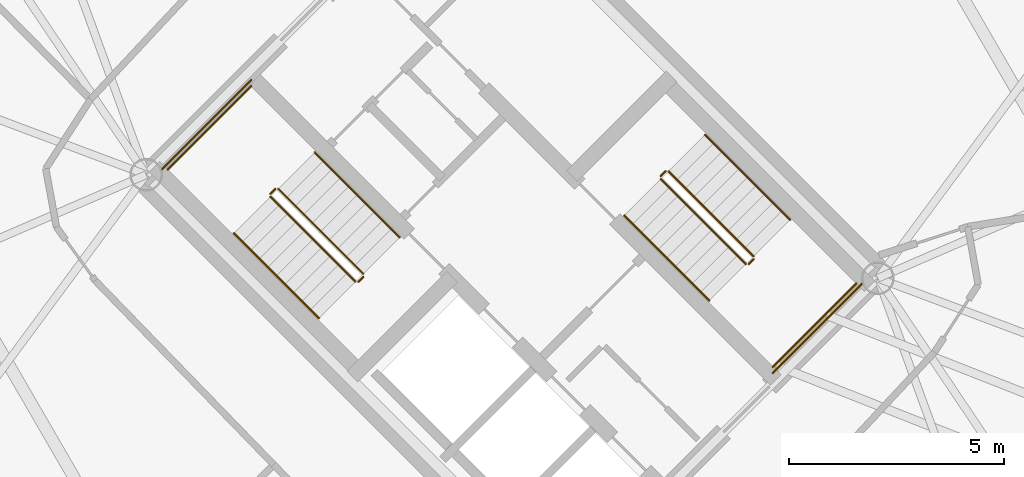
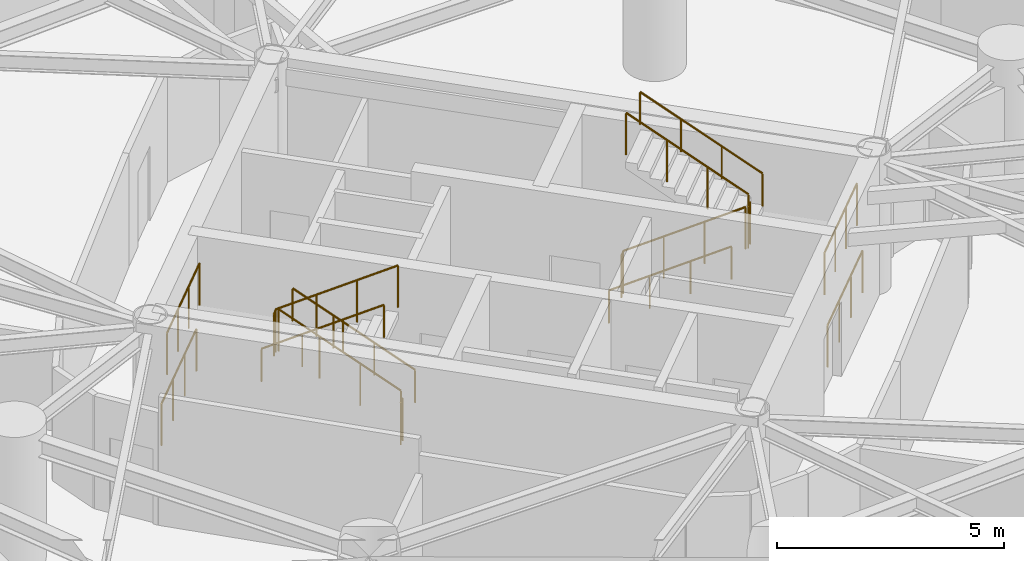
# One storey, part 20 of 20: 16 railings.
"""IFC4 building model written with IfcOpenShell, lengths in metres."""

from ifc_helpers import new_model, si_unit, direction, frame, origin, origin_2d, place, context, subcontext, project, spatial, circle, extrude, material, type_object, element, save


model = new_model("IFC4")

# Units and contexts
model_context = context("Model", 3, precision=1e-05, world=origin(), true_north=direction((0.0, 1.0)))
body_context = subcontext(model_context, "Body", "Model", "MODEL_VIEW")
ifc_project = project(units=[si_unit("LENGTHUNIT", "METRE"), si_unit("AREAUNIT", "SQUARE_METRE"), si_unit("VOLUMEUNIT", "CUBIC_METRE"), si_unit("PLANEANGLEUNIT", "RADIAN"), si_unit("MASSUNIT", "GRAM", prefix="KILO")], contexts=[model_context])

# Site, building, storey
site_placement = place(None, origin())
site = spatial("IfcSite", under=ifc_project, at=site_placement, CompositionType="ELEMENT")
building_placement = place(site_placement, origin())
building = spatial("IfcBuilding", under=site, at=building_placement, Name="Cununo Teusaquillo Station Towers", CompositionType="ELEMENT")
storey_placement = place(building_placement, frame((0.0, 0.0, 140.320068359375)))
storey = spatial("IfcBuildingStorey", under=building, at=storey_placement, Name="L44", CompositionType="ELEMENT", Elevation=140.320068359375)

# Railings
ifc_material_1 = material(Name="Steel EN 10025-2 S355J2", Category="steel")
railing_type_1 = type_object("IfcRailingType", Name="RL-INT-GUARD", PredefinedType="GUARDRAIL", material=ifc_material_1)
railing_1_placement = place(storey_placement, frame((54.03515625, 23.39697265625, 0.1689453125)))
element("IfcRailing", 1, at=railing_1_placement, inside=storey, type_object=railing_type_1, Name="L44 ST-T2-1 stair guard 1", PredefinedType="GUARDRAIL", context=body_context, shape_type="SweptSolid", body=[
    extrude(circle(Radius=0.02392578125, at=origin_2d()), frame((0.0, 0.0, 1.1259765625), z_axis=(-0.60528201841, 0.60528201841, 0.516979067642), x_axis=(-0.707106781187, -0.707106781187, 0.0)), (0.0, 0.0, 1.0), 3.270751953125),
    extrude(circle(Radius=0.02099609375, at=origin_2d()), origin(), (0.0, 0.0, 1.0), 1.101806640625),
    extrude(circle(Radius=0.02099609375, at=origin_2d()), frame((-0.659912109375, 0.659912109375, 0.563720703125)), (0.0, 0.0, 1.0), 1.101806640625),
    extrude(circle(Radius=0.02099609375, at=origin_2d()), frame((-1.31982421875, 1.31982421875, 1.127197265625)), (0.0, 0.0, 1.0), 1.101806640625),
    extrude(circle(Radius=0.02099609375, at=origin_2d()), frame((-1.979736328125, 1.979736328125, 1.69091796875)), (0.0, 0.0, 1.0), 1.101806640625),
])
railing_2_placement = place(storey_placement, frame((51.984619140625, 25.376708984375, 1.85986328125)))
element("IfcRailing", 2, at=railing_2_placement, inside=storey, type_object=railing_type_1, Name="L44 ST-T2-1 stair guard 2", PredefinedType="GUARDRAIL", context=body_context, shape_type="SweptSolid", body=[
    extrude(circle(Radius=0.02392578125, at=origin_2d()), frame((0.0, 0.0, 1.1259765625), z_axis=(-0.707106781187, -0.707106781187, 0.0), x_axis=(0.707106781187, -0.707106781187, 0.0)), (0.0, 0.0, 1.0), 0.159912109375),
    extrude(circle(Radius=0.02099609375, at=origin_2d()), origin(), (0.0, 0.0, 1.0), 1.101806640625),
    extrude(circle(Radius=0.02099609375, at=origin_2d()), frame((-0.113037109375, -0.113037109375, 0.0)), (0.0, 0.0, 1.0), 1.101806640625),
])
railing_3_placement = place(storey_placement, frame((51.426025390625, 27.77392578125, 1.85986328125)))
element("IfcRailing", 3, at=railing_3_placement, inside=storey, type_object=railing_type_1, Name="L44 ST-T2-1 stair guard 3", PredefinedType="GUARDRAIL", context=body_context, shape_type="SweptSolid", body=[
    extrude(circle(Radius=0.02392578125, at=origin_2d()), frame((0.0, 0.0, 1.1259765625), z_axis=(-0.707106781187, -0.707106781187, 0.0), x_axis=(0.707106781187, -0.707106781187, 0.0)), (0.0, 0.0, 1.0), 2.760009765625),
    extrude(circle(Radius=0.02099609375, at=origin_2d()), origin(), (0.0, 0.0, 1.0), 1.101806640625),
    extrude(circle(Radius=0.02099609375, at=origin_2d()), frame((-0.650634765625, -0.650634765625, 0.0)), (0.0, 0.0, 1.0), 1.101806640625),
    extrude(circle(Radius=0.02099609375, at=origin_2d()), frame((-1.301025390625, -1.301025390625, 0.0)), (0.0, 0.0, 1.0), 1.101806640625),
    extrude(circle(Radius=0.02099609375, at=origin_2d()), frame((-1.95166015625, -1.95166015625, 0.0)), (0.0, 0.0, 1.0), 1.101806640625),
])
railing_4_placement = place(storey_placement, frame((51.87158203125, 25.19287109375, 2.029052734375)))
element("IfcRailing", 4, at=railing_4_placement, inside=storey, type_object=railing_type_1, Name="L44 ST-T2-1 stair guard 4", PredefinedType="GUARDRAIL", context=body_context, shape_type="SweptSolid", body=[
    extrude(circle(Radius=0.02392578125, at=origin_2d()), frame((0.0, 0.0, 1.1259765625), z_axis=(0.60528201841, -0.60528201841, 0.516979067642), x_axis=(0.707106781187, 0.707106781187, 0.0)), (0.0, 0.0, 1.0), 3.270751953125),
    extrude(circle(Radius=0.02099609375, at=origin_2d()), origin(), (0.0, 0.0, 1.0), 1.101806640625),
    extrude(circle(Radius=0.02099609375, at=origin_2d()), frame((0.659912109375, -0.659912109375, 0.563720703125)), (0.0, 0.0, 1.0), 1.101806640625),
    extrude(circle(Radius=0.02099609375, at=origin_2d()), frame((1.31982421875, -1.31982421875, 1.127197265625)), (0.0, 0.0, 1.0), 1.101806640625),
    extrude(circle(Radius=0.02099609375, at=origin_2d()), frame((1.979736328125, -1.979736328125, 1.69091796875)), (0.0, 0.0, 1.0), 1.101806640625),
])
railing_5_placement = place(storey_placement, frame((54.03515625, 23.326171875, 0.0)))
element("IfcRailing", 5, at=railing_5_placement, inside=storey, type_object=railing_type_1, Name="L44 ST-T2-1 stair guard 5", PredefinedType="GUARDRAIL", context=body_context, shape_type="SweptSolid", body=[
    extrude(circle(Radius=0.02392578125, at=origin_2d()), frame((0.0, 0.0, 1.1259765625), z_axis=(-0.707106781187, -0.707106781187, 0.0), x_axis=(0.707106781187, -0.707106781187, 0.0)), (0.0, 0.0, 1.0), 0.159912109375),
    extrude(circle(Radius=0.02099609375, at=origin_2d()), origin(), (0.0, 0.0, 1.0), 1.101806640625),
    extrude(circle(Radius=0.02099609375, at=origin_2d()), frame((-0.113037109375, -0.113037109375, 0.0)), (0.0, 0.0, 1.0), 1.101806640625),
])
railing_6_placement = place(storey_placement, frame((51.426025390625, 27.915283203125, 0.0)))
element("IfcRailing", 6, at=railing_6_placement, inside=storey, type_object=railing_type_1, Name="L44 ST-T2-1 stair guard 6", PredefinedType="GUARDRAIL", context=body_context, shape_type="SweptSolid", body=[
    extrude(circle(Radius=0.02392578125, at=origin_2d()), frame((0.0, 0.0, 1.1259765625), z_axis=(-0.707106781187, -0.707106781187, 0.0), x_axis=(0.707106781187, -0.707106781187, 0.0)), (0.0, 0.0, 1.0), 2.9599609375),
    extrude(circle(Radius=0.02099609375, at=origin_2d()), origin(), (0.0, 0.0, 1.0), 1.101806640625),
    extrude(circle(Radius=0.02099609375, at=origin_2d()), frame((-0.69775390625, -0.69775390625, 0.0)), (0.0, 0.0, 1.0), 1.101806640625),
    extrude(circle(Radius=0.02099609375, at=origin_2d()), frame((-1.395263671875, -1.395263671875, 0.0)), (0.0, 0.0, 1.0), 1.101806640625),
    extrude(circle(Radius=0.02099609375, at=origin_2d()), frame((-2.093017578125, -2.093017578125, 0.0)), (0.0, 0.0, 1.0), 1.101806640625),
])
railing_7_placement = place(storey_placement, frame((60.96484375, 25.60302734375, 0.1689453125)))
element("IfcRailing", 7, at=railing_7_placement, inside=storey, type_object=railing_type_1, Name="L44 ST-T2-2 stair guard 1", PredefinedType="GUARDRAIL", context=body_context, shape_type="SweptSolid", body=[
    extrude(circle(Radius=0.02392578125, at=origin_2d()), frame((0.0, 0.0, 1.1259765625), z_axis=(0.60528201841, -0.60528201841, 0.516979067642), x_axis=(0.707106781187, 0.707106781187, 0.0)), (0.0, 0.0, 1.0), 3.270751953125),
    extrude(circle(Radius=0.02099609375, at=origin_2d()), origin(), (0.0, 0.0, 1.0), 1.101806640625),
    extrude(circle(Radius=0.02099609375, at=origin_2d()), frame((0.659912109375, -0.659912109375, 0.563720703125)), (0.0, 0.0, 1.0), 1.101806640625),
    extrude(circle(Radius=0.02099609375, at=origin_2d()), frame((1.31982421875, -1.31982421875, 1.127197265625)), (0.0, 0.0, 1.0), 1.101806640625),
    extrude(circle(Radius=0.02099609375, at=origin_2d()), frame((1.979736328125, -1.979736328125, 1.69091796875)), (0.0, 0.0, 1.0), 1.101806640625),
])
railing_8_placement = place(storey_placement, frame((63.015380859375, 23.623291015625, 1.85986328125)))
element("IfcRailing", 8, at=railing_8_placement, inside=storey, type_object=railing_type_1, Name="L44 ST-T2-2 stair guard 2", PredefinedType="GUARDRAIL", context=body_context, shape_type="SweptSolid", body=[
    extrude(circle(Radius=0.02392578125, at=origin_2d()), frame((0.0, 0.0, 1.1259765625), z_axis=(0.707106781187, 0.707106781187, 0.0), x_axis=(-0.707106781187, 0.707106781187, 0.0)), (0.0, 0.0, 1.0), 0.159912109375),
    extrude(circle(Radius=0.02099609375, at=origin_2d()), origin(), (0.0, 0.0, 1.0), 1.101806640625),
    extrude(circle(Radius=0.02099609375, at=origin_2d()), frame((0.113037109375, 0.113037109375, 0.0)), (0.0, 0.0, 1.0), 1.101806640625),
])
railing_9_placement = place(storey_placement, frame((63.573974609375, 21.22607421875, 1.85986328125)))
element("IfcRailing", 9, at=railing_9_placement, inside=storey, type_object=railing_type_1, Name="L44 ST-T2-2 stair guard 3", PredefinedType="GUARDRAIL", context=body_context, shape_type="SweptSolid", body=[
    extrude(circle(Radius=0.02392578125, at=origin_2d()), frame((0.0, 0.0, 1.1259765625), z_axis=(0.707106781187, 0.707106781187, 0.0), x_axis=(-0.707106781187, 0.707106781187, 0.0)), (0.0, 0.0, 1.0), 2.760009765625),
    extrude(circle(Radius=0.02099609375, at=origin_2d()), origin(), (0.0, 0.0, 1.0), 1.101806640625),
    extrude(circle(Radius=0.02099609375, at=origin_2d()), frame((0.650634765625, 0.650634765625, 0.0)), (0.0, 0.0, 1.0), 1.101806640625),
    extrude(circle(Radius=0.02099609375, at=origin_2d()), frame((1.301025390625, 1.301025390625, 0.0)), (0.0, 0.0, 1.0), 1.101806640625),
    extrude(circle(Radius=0.02099609375, at=origin_2d()), frame((1.95166015625, 1.95166015625, 0.0)), (0.0, 0.0, 1.0), 1.101806640625),
])
railing_10_placement = place(storey_placement, frame((63.12841796875, 23.80712890625, 2.029052734375)))
element("IfcRailing", 10, at=railing_10_placement, inside=storey, type_object=railing_type_1, Name="L44 ST-T2-2 stair guard 4", PredefinedType="GUARDRAIL", context=body_context, shape_type="SweptSolid", body=[
    extrude(circle(Radius=0.02392578125, at=origin_2d()), frame((0.0, 0.0, 1.1259765625), z_axis=(-0.60528201841, 0.60528201841, 0.516979067642), x_axis=(-0.707106781187, -0.707106781187, 0.0)), (0.0, 0.0, 1.0), 3.270751953125),
    extrude(circle(Radius=0.02099609375, at=origin_2d()), origin(), (0.0, 0.0, 1.0), 1.101806640625),
    extrude(circle(Radius=0.02099609375, at=origin_2d()), frame((-0.659912109375, 0.659912109375, 0.563720703125)), (0.0, 0.0, 1.0), 1.101806640625),
    extrude(circle(Radius=0.02099609375, at=origin_2d()), frame((-1.31982421875, 1.31982421875, 1.127197265625)), (0.0, 0.0, 1.0), 1.101806640625),
    extrude(circle(Radius=0.02099609375, at=origin_2d()), frame((-1.979736328125, 1.979736328125, 1.69091796875)), (0.0, 0.0, 1.0), 1.101806640625),
])
railing_11_placement = place(storey_placement, frame((60.96484375, 25.673828125, 0.0)))
element("IfcRailing", 11, at=railing_11_placement, inside=storey, type_object=railing_type_1, Name="L44 ST-T2-2 stair guard 5", PredefinedType="GUARDRAIL", context=body_context, shape_type="SweptSolid", body=[
    extrude(circle(Radius=0.02392578125, at=origin_2d()), frame((0.0, 0.0, 1.1259765625), z_axis=(0.707106781187, 0.707106781187, 0.0), x_axis=(-0.707106781187, 0.707106781187, 0.0)), (0.0, 0.0, 1.0), 0.159912109375),
    extrude(circle(Radius=0.02099609375, at=origin_2d()), origin(), (0.0, 0.0, 1.0), 1.101806640625),
    extrude(circle(Radius=0.02099609375, at=origin_2d()), frame((0.113037109375, 0.113037109375, 0.0)), (0.0, 0.0, 1.0), 1.101806640625),
])
railing_12_placement = place(storey_placement, frame((63.573974609375, 21.084716796875, 0.0)))
element("IfcRailing", 12, at=railing_12_placement, inside=storey, type_object=railing_type_1, Name="L44 ST-T2-2 stair guard 6", PredefinedType="GUARDRAIL", context=body_context, shape_type="SweptSolid", body=[
    extrude(circle(Radius=0.02392578125, at=origin_2d()), frame((0.0, 0.0, 1.1259765625), z_axis=(0.707106781187, 0.707106781187, 0.0), x_axis=(-0.707106781187, 0.707106781187, 0.0)), (0.0, 0.0, 1.0), 2.9599609375),
    extrude(circle(Radius=0.02099609375, at=origin_2d()), origin(), (0.0, 0.0, 1.0), 1.101806640625),
    extrude(circle(Radius=0.02099609375, at=origin_2d()), frame((0.69775390625, 0.69775390625, 0.0)), (0.0, 0.0, 1.0), 1.101806640625),
    extrude(circle(Radius=0.02099609375, at=origin_2d()), frame((1.395263671875, 1.395263671875, 0.0)), (0.0, 0.0, 1.0), 1.101806640625),
    extrude(circle(Radius=0.02099609375, at=origin_2d()), frame((2.093017578125, 2.093017578125, 0.0)), (0.0, 0.0, 1.0), 1.101806640625),
])
ifc_material_2 = material(Name="Steel EN 10025-2 S355J2", Category="steel")
railing_type_2 = type_object("IfcRailingType", Name="RL-INT-HRAIL", PredefinedType="HANDRAIL", material=ifc_material_2)
railing_13_placement = place(storey_placement, frame((54.8837890625, 24.245361328125, 0.1689453125)))
element("IfcRailing", 13, at=railing_13_placement, inside=storey, type_object=railing_type_2, Name="L44 ST-T2-1 stair handrail 1", PredefinedType="HANDRAIL", context=body_context, shape_type="SweptSolid", body=[
    extrude(circle(Radius=0.02392578125, at=origin_2d()), frame((0.0, 0.0, 0.8759765625), z_axis=(-0.605301965407, 0.605301965407, 0.516932356647), x_axis=(-0.707106781187, -0.707106781187, 0.0)), (0.0, 0.0, 1.0), 3.27099609375),
    extrude(circle(Radius=0.02099609375, at=origin_2d()), origin(), (0.0, 0.0, 1.0), 0.851806640625),
    extrude(circle(Radius=0.02099609375, at=origin_2d()), frame((-0.659912109375, 0.659912109375, 0.563720703125)), (0.0, 0.0, 1.0), 0.851806640625),
    extrude(circle(Radius=0.02099609375, at=origin_2d()), frame((-1.320068359375, 1.320068359375, 1.127197265625)), (0.0, 0.0, 1.0), 0.851806640625),
    extrude(circle(Radius=0.02099609375, at=origin_2d()), frame((-1.97998046875, 1.97998046875, 1.69091796875)), (0.0, 0.0, 1.0), 0.851806640625),
])
for number, where, name in (
    (14, (51.02294921875, 24.344482421875, 2.029052734375), "L44 ST-T2-1 stair handrail 2"),
    (15, (60.1162109375, 24.754638671875, 0.1689453125), "L44 ST-T2-2 stair handrail 1"),
):
    element("IfcRailing", number, at=place(storey_placement, frame(where)), inside=storey, type_object=railing_type_2, Name=name, PredefinedType="HANDRAIL", context=body_context, shape_type="SweptSolid", body=[
        extrude(circle(Radius=0.02392578125, at=origin_2d()), frame((0.0, 0.0, 0.8759765625), z_axis=(0.605301965407, -0.605301965407, 0.516932356647), x_axis=(0.707106781187, 0.707106781187, 0.0)), (0.0, 0.0, 1.0), 3.27099609375),
        extrude(circle(Radius=0.02099609375, at=origin_2d()), origin(), (0.0, 0.0, 1.0), 0.851806640625),
        extrude(circle(Radius=0.02099609375, at=origin_2d()), frame((0.659912109375, -0.659912109375, 0.563720703125)), (0.0, 0.0, 1.0), 0.851806640625),
        extrude(circle(Radius=0.02099609375, at=origin_2d()), frame((1.320068359375, -1.320068359375, 1.127197265625)), (0.0, 0.0, 1.0), 0.851806640625),
        extrude(circle(Radius=0.02099609375, at=origin_2d()), frame((1.97998046875, -1.97998046875, 1.69091796875)), (0.0, 0.0, 1.0), 0.851806640625),
    ])
railing_14_placement = place(storey_placement, frame((63.97705078125, 24.655517578125, 2.029052734375)))
element("IfcRailing", 16, at=railing_14_placement, inside=storey, type_object=railing_type_2, Name="L44 ST-T2-2 stair handrail 2", PredefinedType="HANDRAIL", context=body_context, shape_type="SweptSolid", body=[
    extrude(circle(Radius=0.02392578125, at=origin_2d()), frame((0.0, 0.0, 0.8759765625), z_axis=(-0.605301965407, 0.605301965407, 0.516932356647), x_axis=(-0.707106781187, -0.707106781187, 0.0)), (0.0, 0.0, 1.0), 3.27099609375),
    extrude(circle(Radius=0.02099609375, at=origin_2d()), origin(), (0.0, 0.0, 1.0), 0.851806640625),
    extrude(circle(Radius=0.02099609375, at=origin_2d()), frame((-0.659912109375, 0.659912109375, 0.563720703125)), (0.0, 0.0, 1.0), 0.851806640625),
    extrude(circle(Radius=0.02099609375, at=origin_2d()), frame((-1.320068359375, 1.320068359375, 1.127197265625)), (0.0, 0.0, 1.0), 0.851806640625),
    extrude(circle(Radius=0.02099609375, at=origin_2d()), frame((-1.97998046875, 1.97998046875, 1.69091796875)), (0.0, 0.0, 1.0), 0.851806640625),
])

save(model, "model.ifc")
